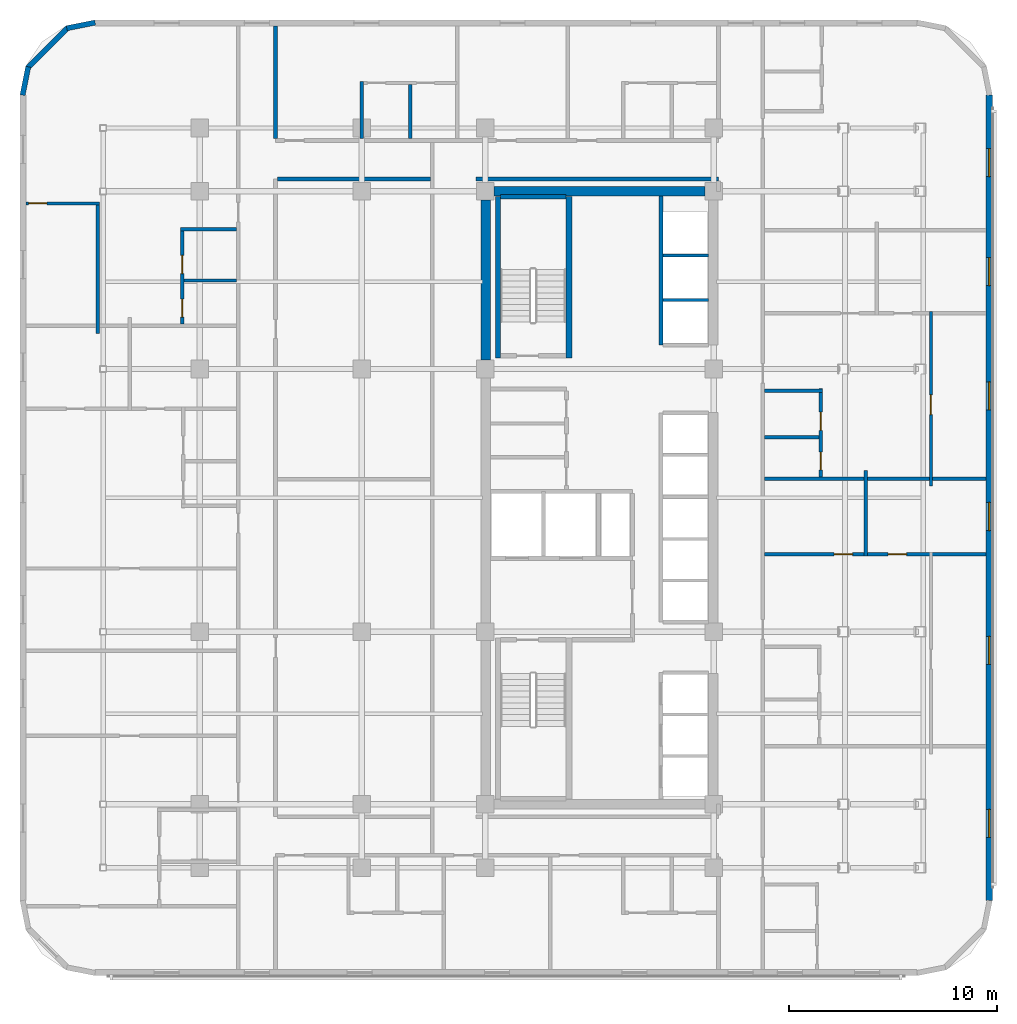
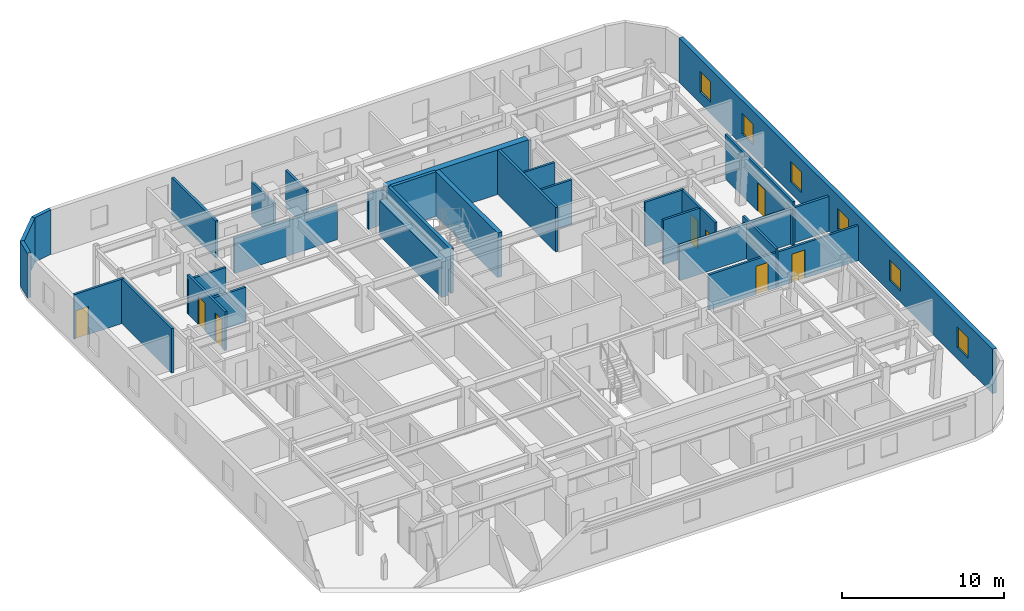
# One storey, part 9 of 14: 29 walls, 8 doors, 6 windows, 14 openings.
"""IFC4 building model written with IfcOpenShell, lengths in metres."""

from ifc_helpers import new_model, si_unit, direction, frame, frame_2d, origin, place, context, subcontext, project, spatial, rectangle, extrude, material, layer, layer_set, type_object, element, fill, save


model = new_model("IFC4")

# Units and contexts
model_context = context("Model", 3, precision=1e-05, world=origin(), true_north=direction((0.0, 1.0)))
body_context = subcontext(model_context, "Body", "Model", "MODEL_VIEW")
ifc_project = project(units=[si_unit("LENGTHUNIT", "METRE"), si_unit("AREAUNIT", "SQUARE_METRE"), si_unit("VOLUMEUNIT", "CUBIC_METRE"), si_unit("PLANEANGLEUNIT", "RADIAN"), si_unit("MASSUNIT", "GRAM", prefix="KILO")], contexts=[model_context])

# Site, building, storey
site_placement = place(None, origin())
site = spatial("IfcSite", under=ifc_project, at=site_placement, CompositionType="ELEMENT")
building_placement = place(site_placement, origin())
building = spatial("IfcBuilding", under=site, at=building_placement, Name="Ochreholt Gables", CompositionType="ELEMENT")
storey_placement = place(building_placement, frame((0.0, 0.0, 42.0)))
storey = spatial("IfcBuildingStorey", under=building, at=storey_placement, Name="L10", CompositionType="ELEMENT", Elevation=42.0)

# Walls
ifc_material_1 = material(Name="Concrete 60 MPa", Category="concrete")
ifc_layer_1 = layer(ifc_material_1, 0.449951171875, Name="Concrete 60 MPa")
ifc_layer_set_1 = layer_set([ifc_layer_1], Name="Concrete 60 MPa")
wall_type_1 = type_object("IfcWallType", Name="WALL-CSW-450", PredefinedType="SHEAR", material=ifc_layer_set_1)
wall_1_placement = place(storey_placement, frame((24.22509765625, 30.625, 0.0), z_axis=(0.0, 0.0, 1.0), x_axis=(0.0, 1.0, 0.0)))
element("IfcWall", 1, at=wall_1_placement, inside=storey, type_object=wall_type_1, Name="L10 Core West Shear Wall WN", PredefinedType="SHEAR", context=body_context, shape_type="SweptSolid", body=[
    extrude(rectangle(XDim=7.699951171875, YDim=0.449951171875, at=frame_2d((3.85009765625, 0.0))), origin(), (0.0, 0.0, 1.0), 2.6669921875),
])
wall_2_placement = place(storey_placement, frame((24.625, 38.75, 0.0), z_axis=(0.0, 0.0, 1.0), x_axis=(1.0, 0.0, 0.0)))
element("IfcWall", 2, at=wall_2_placement, inside=storey, type_object=wall_type_1, Name="L10 Core North Shear Wall", PredefinedType="SHEAR", context=body_context, shape_type="SweptSolid", body=[
    extrude(rectangle(XDim=10.14990234375, YDim=0.449951171875, at=frame_2d((5.074951171875, 0.0))), origin(), (0.0, 0.0, 1.0), 3.360107421875),
])

# Wall, openings, windows
ifc_material_2 = material(Name="Precast concrete 40 MPa", Category="concrete")
ifc_layer_2 = layer(ifc_material_2, 0.2900390625, Name="Precast concrete 40 MPa")
ifc_layer_set_2 = layer_set([ifc_layer_2], Name="Precast concrete 40 MPa")
wall_type_2 = type_object("IfcWallType", Name="WALL-EXT-290", PredefinedType="SOLIDWALL", material=ifc_layer_set_2)
wall_3_placement = place(storey_placement, frame((48.455078125, 4.6201171875, 0.0), z_axis=(0.0, 0.0, 1.0), x_axis=(0.0, 1.0, 0.0)))
wall_3 = element("IfcWall", 3, at=wall_3_placement, inside=storey, type_object=wall_type_2, Name="L10 East Exterior Wall", PredefinedType="SOLIDWALL", context=body_context, shape_type="SweptSolid", body=[
    extrude(rectangle(XDim=38.759765625, YDim=0.2900390625, at=frame_2d((19.3798828125, 0.0))), origin(), (0.0, 0.0, 1.0), 3.360107421875),
])
opening_1_placement = place(wall_3_placement, frame((3.034912109375, 0.0, 0.85009765625)))
opening_1 = element("IfcOpeningElement", 4, at=opening_1_placement, cuts=wall_3, Name="Opening WN-8", PredefinedType="OPENING", context=body_context, shape_type="SweptSolid", body=[
    extrude(rectangle(XDim=1.35009765625, YDim=1.550048828125, at=frame_2d((0.675048828125, 0.77490234375))), frame((0.0, 0.155029296875, 0.0), z_axis=(0.0, -1.0, 0.0), x_axis=(1.0, 0.0, 0.0)), (0.0, 0.0, 1.0), 0.31005859375),
])
opening_2_placement = place(wall_3_placement, frame((11.364990234375, 0.0, 0.85009765625)))
opening_2 = element("IfcOpeningElement", 5, at=opening_2_placement, cuts=wall_3, Name="Opening WN-8", PredefinedType="OPENING", context=body_context, shape_type="SweptSolid", body=[
    extrude(rectangle(XDim=1.35009765625, YDim=1.550048828125, at=frame_2d((0.675048828125, 0.77490234375))), frame((0.0, 0.155029296875, 0.0), z_axis=(0.0, -1.0, 0.0), x_axis=(1.0, 0.0, 0.0)), (0.0, 0.0, 1.0), 0.31005859375),
])
opening_3_placement = place(wall_3_placement, frame((17.804931640625, 0.0, 0.85009765625)))
opening_3 = element("IfcOpeningElement", 6, at=opening_3_placement, cuts=wall_3, Name="Opening WN-8", PredefinedType="OPENING", context=body_context, shape_type="SweptSolid", body=[
    extrude(rectangle(XDim=1.35009765625, YDim=1.550048828125, at=frame_2d((0.675048828125, 0.77490234375))), frame((0.0, 0.155029296875, 0.0), z_axis=(0.0, -1.0, 0.0), x_axis=(1.0, 0.0, 0.0)), (0.0, 0.0, 1.0), 0.31005859375),
])
opening_4_placement = place(wall_3_placement, frame((23.610107421875, 0.0, 0.85009765625)))
opening_4 = element("IfcOpeningElement", 7, at=opening_4_placement, cuts=wall_3, Name="Opening WN-8", PredefinedType="OPENING", context=body_context, shape_type="SweptSolid", body=[
    extrude(rectangle(XDim=1.35009765625, YDim=1.550048828125, at=frame_2d((0.675048828125, 0.77490234375))), frame((0.0, 0.155029296875, 0.0), z_axis=(0.0, -1.0, 0.0), x_axis=(1.0, 0.0, 0.0)), (0.0, 0.0, 1.0), 0.31005859375),
])
opening_5_placement = place(wall_3_placement, frame((29.590087890625, 0.0, 0.85009765625)))
opening_5 = element("IfcOpeningElement", 8, at=opening_5_placement, cuts=wall_3, Name="Opening WN-8", PredefinedType="OPENING", context=body_context, shape_type="SweptSolid", body=[
    extrude(rectangle(XDim=1.35009765625, YDim=1.550048828125, at=frame_2d((0.675048828125, 0.77490234375))), frame((0.0, 0.155029296875, 0.0), z_axis=(0.0, -1.0, 0.0), x_axis=(1.0, 0.0, 0.0)), (0.0, 0.0, 1.0), 0.31005859375),
])
opening_6_placement = place(wall_3_placement, frame((34.8349609375, 0.0, 0.85009765625)))
opening_6 = element("IfcOpeningElement", 9, at=opening_6_placement, cuts=wall_3, Name="Opening WN-8", PredefinedType="OPENING", context=body_context, shape_type="SweptSolid", body=[
    extrude(rectangle(XDim=1.35009765625, YDim=1.550048828125, at=frame_2d((0.675048828125, 0.77490234375))), frame((0.0, 0.155029296875, 0.0), z_axis=(0.0, -1.0, 0.0), x_axis=(1.0, 0.0, 0.0)), (0.0, 0.0, 1.0), 0.31005859375),
])
ifc_material_3 = material(Name="Triple-Glazed Thermally Broken Aluminium Window", Category="aluminium")
window_type = type_object("IfcWindowType", Name="WIN-RES-1350", PartitioningType="SINGLE_PANEL", PredefinedType="WINDOW", material=ifc_material_3)
window_1_placement = place(opening_1_placement, origin())
window_1 = element("IfcWindow", 10, at=window_1_placement, inside=storey, type_object=window_type, Name="L10 Window W-EXT-E-L10-1", OverallHeight=1.550048828125, OverallWidth=1.35009765625, PartitioningType="SINGLE_PANEL", PredefinedType="WINDOW", context=body_context, shape_type="SweptSolid", body=[
    extrude(rectangle(XDim=1.35009765625, YDim=1.550048828125, at=frame_2d((0.675048828125, 0.77490234375))), frame((0.0, 0.030029296875, 0.0), z_axis=(0.0, -1.0, 0.0), x_axis=(1.0, 0.0, 0.0)), (0.0, 0.0, 1.0), 0.06005859375),
])
fill(opening_1, window_1)
window_2_placement = place(opening_2_placement, origin())
window_2 = element("IfcWindow", 11, at=window_2_placement, inside=storey, type_object=window_type, Name="L10 Window W-EXT-E-L10-2", OverallHeight=1.550048828125, OverallWidth=1.35009765625, PartitioningType="SINGLE_PANEL", PredefinedType="WINDOW", context=body_context, shape_type="SweptSolid", body=[
    extrude(rectangle(XDim=1.35009765625, YDim=1.550048828125, at=frame_2d((0.675048828125, 0.77490234375))), frame((0.0, 0.030029296875, 0.0), z_axis=(0.0, -1.0, 0.0), x_axis=(1.0, 0.0, 0.0)), (0.0, 0.0, 1.0), 0.06005859375),
])
fill(opening_2, window_2)
window_3_placement = place(opening_3_placement, origin())
window_3 = element("IfcWindow", 12, at=window_3_placement, inside=storey, type_object=window_type, Name="L10 Window W-EXT-E-L10-3", OverallHeight=1.550048828125, OverallWidth=1.35009765625, PartitioningType="SINGLE_PANEL", PredefinedType="WINDOW", context=body_context, shape_type="SweptSolid", body=[
    extrude(rectangle(XDim=1.35009765625, YDim=1.550048828125, at=frame_2d((0.675048828125, 0.77490234375))), frame((0.0, 0.030029296875, 0.0), z_axis=(0.0, -1.0, 0.0), x_axis=(1.0, 0.0, 0.0)), (0.0, 0.0, 1.0), 0.06005859375),
])
fill(opening_3, window_3)
window_4_placement = place(opening_4_placement, origin())
window_4 = element("IfcWindow", 13, at=window_4_placement, inside=storey, type_object=window_type, Name="L10 Window W-EXT-E-L10-4", OverallHeight=1.550048828125, OverallWidth=1.35009765625, PartitioningType="SINGLE_PANEL", PredefinedType="WINDOW", context=body_context, shape_type="SweptSolid", body=[
    extrude(rectangle(XDim=1.35009765625, YDim=1.550048828125, at=frame_2d((0.675048828125, 0.77490234375))), frame((0.0, 0.030029296875, 0.0), z_axis=(0.0, -1.0, 0.0), x_axis=(1.0, 0.0, 0.0)), (0.0, 0.0, 1.0), 0.06005859375),
])
fill(opening_4, window_4)
window_5_placement = place(opening_5_placement, origin())
window_5 = element("IfcWindow", 14, at=window_5_placement, inside=storey, type_object=window_type, Name="L10 Window W-EXT-E-L10-5", OverallHeight=1.550048828125, OverallWidth=1.35009765625, PartitioningType="SINGLE_PANEL", PredefinedType="WINDOW", context=body_context, shape_type="SweptSolid", body=[
    extrude(rectangle(XDim=1.35009765625, YDim=1.550048828125, at=frame_2d((0.675048828125, 0.77490234375))), frame((0.0, 0.030029296875, 0.0), z_axis=(0.0, -1.0, 0.0), x_axis=(1.0, 0.0, 0.0)), (0.0, 0.0, 1.0), 0.06005859375),
])
fill(opening_5, window_5)
window_6_placement = place(opening_6_placement, origin())
window_6 = element("IfcWindow", 15, at=window_6_placement, inside=storey, type_object=window_type, Name="L10 Window W-EXT-E-L10-6", OverallHeight=1.550048828125, OverallWidth=1.35009765625, PartitioningType="SINGLE_PANEL", PredefinedType="WINDOW", context=body_context, shape_type="SweptSolid", body=[
    extrude(rectangle(XDim=1.35009765625, YDim=1.550048828125, at=frame_2d((0.675048828125, 0.77490234375))), frame((0.0, 0.030029296875, 0.0), z_axis=(0.0, -1.0, 0.0), x_axis=(1.0, 0.0, 0.0)), (0.0, 0.0, 1.0), 0.06005859375),
])
fill(opening_6, window_6)

# Walls
ifc_layer_3 = layer(ifc_material_2, 0.25, Name="Precast concrete 40 MPa")
ifc_layer_set_3 = layer_set([ifc_layer_3], Name="Precast concrete 40 MPa")
wall_type_3 = type_object("IfcWallType", Name="WALL-EXT-CNR", PredefinedType="SOLIDWALL", material=ifc_layer_set_3)
wall_4_placement = place(storey_placement, frame((5.41650390625, 46.875732421875, 0.0), z_axis=(0.0, 0.0, 1.0), x_axis=(-0.980809899341, -0.19496651342, 0.0)))
element("IfcWall", 16, at=wall_4_placement, inside=storey, type_object=wall_type_3, Name="L10 Rounded Corner Wall NW-1", PredefinedType="SOLIDWALL", context=body_context, shape_type="SweptSolid", body=[
    extrude(rectangle(XDim=1.388671875, YDim=0.25, at=frame_2d((0.6943359375, 0.0))), origin(), (0.0, 0.0, 1.0), 3.360107421875),
])
wall_5_placement = place(storey_placement, frame((4.10498046875, 46.632080078125, 0.0), z_axis=(0.0, 0.0, 1.0), x_axis=(-0.707106781187, -0.707106781187, 0.0)))
element("IfcWall", 17, at=wall_5_placement, inside=storey, type_object=wall_type_3, Name="L10 Rounded Corner Wall NW-2", PredefinedType="SOLIDWALL", context=body_context, shape_type="SweptSolid", body=[
    extrude(rectangle(XDim=2.7392578125, YDim=0.25, at=frame_2d((1.36962890625, 0.0))), origin(), (0.0, 0.0, 1.0), 3.360107421875),
])
wall_6_placement = place(storey_placement, frame((2.195068359375, 44.74560546875, 0.0), z_axis=(0.0, 0.0, 1.0), x_axis=(-0.19496651342, -0.980809899341, 0.0)))
element("IfcWall", 18, at=wall_6_placement, inside=storey, type_object=wall_type_3, Name="L10 Rounded Corner Wall NW-3", PredefinedType="SOLIDWALL", context=body_context, shape_type="SweptSolid", body=[
    extrude(rectangle(XDim=1.388671875, YDim=0.25, at=frame_2d((0.6943359375, 0.0))), origin(), (0.0, 0.0, 1.0), 3.360107421875),
])
ifc_material_4 = material(Name="Fire-Rated Gypsum Acoustic Partition", Category="gypsum")
ifc_layer_4 = layer(ifc_material_4, 0.179931640625, Name="Fire-Rated Gypsum Acoustic Partition")
ifc_layer_set_4 = layer_set([ifc_layer_4], Name="Fire-Rated Gypsum Acoustic Partition")
wall_type_4 = type_object("IfcWallType", Name="WALL-INT-CR180", PredefinedType="STANDARD", material=ifc_layer_set_4)
wall_7_placement = place(storey_placement, frame((23.75, 39.35009765625, 0.0), z_axis=(0.0, 0.0, 1.0), x_axis=(1.0, 0.0, 0.0)))
element("IfcWall", 19, at=wall_7_placement, inside=storey, type_object=wall_type_4, Name="L10 Interior Wall WI-C1N2-L10", PredefinedType="STANDARD", context=body_context, shape_type="SweptSolid", body=[
    extrude(rectangle(XDim=11.669921875, YDim=0.179931640625, at=frame_2d((5.8349609375, 0.0))), origin(), (0.0, 0.0, 1.0), 2.64892578125),
])
wall_8_placement = place(storey_placement, frame((14.18994140625, 39.35009765625, 0.0), z_axis=(0.0, 0.0, 1.0), x_axis=(1.0, 0.0, 0.0)))
element("IfcWall", 20, at=wall_8_placement, inside=storey, type_object=wall_type_4, Name="L10 Interior Wall WI-C1N2W-L10", PredefinedType="STANDARD", context=body_context, shape_type="SweptSolid", body=[
    extrude(rectangle(XDim=7.3701171875, YDim=0.179931640625, at=frame_2d((3.68505859375, 0.0))), origin(), (0.0, 0.0, 1.0), 2.64892578125),
])
ifc_material_5 = material(Name="Double-Stud Acoustic Demising Wall", Category="gypsum")
ifc_layer_5 = layer(ifc_material_5, 0.179931640625, Name="Double-Stud Acoustic Demising Wall")
ifc_layer_set_5 = layer_set([ifc_layer_5], Name="Double-Stud Acoustic Demising Wall")
wall_type_5 = type_object("IfcWallType", Name="WALL-INT-DM180", PredefinedType="PARTITIONING", material=ifc_layer_set_5)
wall_9_placement = place(storey_placement, frame((14.10009765625, 41.2900390625, 0.0), z_axis=(0.0, 0.0, 1.0), x_axis=(0.0, 1.0, 0.0)))
element("IfcWall", 21, at=wall_9_placement, inside=storey, type_object=wall_type_5, Name="L10 Interior Wall WI-C1WNI-L10", PredefinedType="PARTITIONING", context=body_context, shape_type="SweptSolid", body=[
    extrude(rectangle(XDim=5.419921875, YDim=0.179931640625, at=frame_2d((2.7099609375, 0.0))), origin(), (0.0, 0.0, 1.0), 2.80908203125),
])
wall_10_placement = place(storey_placement, frame((37.639892578125, 24.919921875, 0.0), z_axis=(0.0, 0.0, 1.0), x_axis=(1.0, 0.0, 0.0)))
element("IfcWall", 22, at=wall_10_placement, inside=storey, type_object=wall_type_5, Name="L10 Interior Wall WI-UDE3-L10", PredefinedType="PARTITIONING", context=body_context, shape_type="SweptSolid", body=[
    extrude(rectangle(XDim=10.670166015625, YDim=0.179931640625, at=frame_2d((5.3349609375, 0.0))), origin(), (0.0, 0.0, 1.0), 2.64892578125),
])
ifc_material_6 = material(Name="Moisture-Resistant Plumbing Chase Wall", Category="gypsum")
ifc_layer_6 = layer(ifc_material_6, 0.159912109375, Name="Moisture-Resistant Plumbing Chase Wall")
ifc_layer_set_6 = layer_set([ifc_layer_6], Name="Moisture-Resistant Plumbing Chase Wall")
wall_type_6 = type_object("IfcWallType", Name="WALL-INT-PL160", PredefinedType="PLUMBINGWALL", material=ifc_layer_set_6)
wall_11_placement = place(storey_placement, frame((37.639892578125, 29.159912109375, 0.0), z_axis=(0.0, 0.0, 1.0), x_axis=(1.0, 0.0, 0.0)))
element("IfcWall", 23, at=wall_11_placement, inside=storey, type_object=wall_type_6, Name="L10 Interior Wall WU-L10E3-FYN", PredefinedType="PLUMBINGWALL", context=body_context, shape_type="SweptSolid", body=[
    extrude(rectangle(XDim=2.7880859375, YDim=0.159912109375, at=frame_2d((1.39404296875, 0.0))), origin(), (0.0, 0.0, 1.0), 3.360107421875),
])

# Wall, openings, doors
wall_12_placement = place(storey_placement, frame((40.347900390625, 25.010009765625, 0.0), z_axis=(0.0, 0.0, 1.0), x_axis=(0.0, 1.0, 0.0)))
wall_12 = element("IfcWall", 24, at=wall_12_placement, inside=storey, type_object=wall_type_6, Name="L10 Interior Wall WU-L10E3-WX", PredefinedType="PLUMBINGWALL", context=body_context, shape_type="SweptSolid", body=[
    extrude(rectangle(XDim=4.239990234375, YDim=0.159912109375, at=frame_2d((2.1201171875, 0.0))), origin(), (0.0, 0.0, 1.0), 3.360107421875),
])
opening_7_placement = place(wall_12_placement, frame((0.330078125, 0.0, 0.0)))
opening_7 = element("IfcOpeningElement", 25, at=opening_7_placement, cuts=wall_12, Name="Opening D-BT1", PredefinedType="OPENING", context=body_context, shape_type="SweptSolid", body=[
    extrude(rectangle(XDim=0.860107421875, YDim=2.1201171875, at=frame_2d((0.43017578125, 1.06005859375))), frame((0.0, 0.08984375, 0.0), z_axis=(0.0, -1.0, 0.0), x_axis=(1.0, 0.0, 0.0)), (0.0, 0.0, 1.0), 0.179931640625),
])
opening_8_placement = place(wall_12_placement, frame((2.239013671875, 0.0, 0.0)))
opening_8 = element("IfcOpeningElement", 26, at=opening_8_placement, cuts=wall_12, Name="Opening D-GN2", PredefinedType="OPENING", context=body_context, shape_type="SweptSolid", body=[
    extrude(rectangle(XDim=0.8798828125, YDim=2.1201171875, at=frame_2d((0.43994140625, 1.06005859375))), frame((0.0, 0.08984375, 0.0), z_axis=(0.0, -1.0, 0.0), x_axis=(1.0, 0.0, 0.0)), (0.0, 0.0, 1.0), 0.179931640625),
])
ifc_material_7 = material(Name="Engineered Oak Timber", Category="wood")
door_type_1 = type_object("IfcDoorType", Name="DR-INT-BTH860", OperationType="NOTDEFINED", PredefinedType="DOOR", material=ifc_material_7)
door_1_placement = place(opening_7_placement, origin())
door_1 = element("IfcDoor", 27, at=door_1_placement, inside=storey, type_object=door_type_1, Name="L10 Door D-U-L10E3-BTH", OperationType="SINGLE_SWING_LEFT", OverallHeight=2.1201171875, OverallWidth=0.860107421875, PredefinedType="DOOR", context=body_context, shape_type="SweptSolid", body=[
    extrude(rectangle(XDim=0.860107421875, YDim=2.1201171875, at=frame_2d((0.43017578125, 1.06005859375))), frame((0.0, 0.02490234375, 0.0), z_axis=(0.0, -1.0, 0.0), x_axis=(1.0, 0.0, 0.0)), (0.0, 0.0, 1.0), 0.050048828125),
])
fill(opening_7, door_1)
door_type_2 = type_object("IfcDoorType", Name="DR-INT-GEN880", OperationType="NOTDEFINED", PredefinedType="DOOR", material=ifc_material_7)
door_2_placement = place(opening_8_placement, origin())
door_2 = element("IfcDoor", 28, at=door_2_placement, inside=storey, type_object=door_type_2, Name="L10 Door D-U-L10E3-KIT", OperationType="SINGLE_SWING_RIGHT", OverallHeight=2.1201171875, OverallWidth=0.8798828125, PredefinedType="DOOR", context=body_context, shape_type="SweptSolid", body=[
    extrude(rectangle(XDim=0.8798828125, YDim=2.1201171875, at=frame_2d((0.43994140625, 1.06005859375))), frame((0.0, 0.02490234375, 0.0), z_axis=(0.0, -1.0, 0.0), x_axis=(1.0, 0.0, 0.0)), (0.0, 0.0, 1.0), 0.050048828125),
])
fill(opening_8, door_2)

# Walls
wall_13_placement = place(storey_placement, frame((37.639892578125, 26.9189453125, 0.0), z_axis=(0.0, 0.0, 1.0), x_axis=(1.0, 0.0, 0.0)))
element("IfcWall", 29, at=wall_13_placement, inside=storey, type_object=wall_type_6, Name="L10 Interior Wall WU-L10E3-WK", PredefinedType="PLUMBINGWALL", context=body_context, shape_type="SweptSolid", body=[
    extrude(rectangle(XDim=2.628173828125, YDim=0.159912109375, at=frame_2d((1.31396484375, 0.0))), origin(), (0.0, 0.0, 1.0), 3.360107421875),
])
wall_14_placement = place(storey_placement, frame((9.528076171875, 36.919921875, 0.0), z_axis=(0.0, 0.0, 1.0), x_axis=(1.0, 0.0, 0.0)))
element("IfcWall", 30, at=wall_14_placement, inside=storey, type_object=wall_type_6, Name="L10 Interior Wall WU-L10W3-WYN", PredefinedType="PLUMBINGWALL", context=body_context, shape_type="SweptSolid", body=[
    extrude(rectangle(XDim=2.681884765625, YDim=0.159912109375, at=frame_2d((1.3408203125, 0.0))), origin(), (0.0, 0.0, 1.0), 2.64892578125),
])

# Wall, openings, doors
wall_15_placement = place(storey_placement, frame((9.60791015625, 32.3701171875, 0.0), z_axis=(0.0, 0.0, 1.0), x_axis=(0.0, 1.0, 0.0)))
wall_15 = element("IfcWall", 31, at=wall_15_placement, inside=storey, type_object=wall_type_6, Name="L10 Interior Wall WU-L10W3-WX", PredefinedType="PLUMBINGWALL", context=body_context, shape_type="SweptSolid", body=[
    extrude(rectangle(XDim=4.639892578125, YDim=0.159912109375, at=frame_2d((2.31982421875, 0.0))), origin(), (0.0, 0.0, 1.0), 2.931884765625),
])
opening_9_placement = place(wall_15_placement, frame((0.330078125, 0.0, 0.0)))
opening_9 = element("IfcOpeningElement", 32, at=opening_9_placement, cuts=wall_15, Name="Opening D-BT1", PredefinedType="OPENING", context=body_context, shape_type="SweptSolid", body=[
    extrude(rectangle(XDim=0.860107421875, YDim=2.1201171875, at=frame_2d((0.43017578125, 1.06005859375))), frame((0.0, 0.08984375, 0.0), z_axis=(0.0, -1.0, 0.0), x_axis=(1.0, 0.0, 0.0)), (0.0, 0.0, 1.0), 0.179931640625),
])
opening_10_placement = place(wall_15_placement, frame((2.423095703125, 0.0, 0.0)))
opening_10 = element("IfcOpeningElement", 33, at=opening_10_placement, cuts=wall_15, Name="Opening D-GN2", PredefinedType="OPENING", context=body_context, shape_type="SweptSolid", body=[
    extrude(rectangle(XDim=0.8798828125, YDim=2.1201171875, at=frame_2d((0.43994140625, 1.06005859375))), frame((0.0, 0.08984375, 0.0), z_axis=(0.0, -1.0, 0.0), x_axis=(1.0, 0.0, 0.0)), (0.0, 0.0, 1.0), 0.179931640625),
])
door_3_placement = place(opening_9_placement, origin())
door_3 = element("IfcDoor", 34, at=door_3_placement, inside=storey, type_object=door_type_1, Name="L10 Door D-U-L10W3-BTH", OperationType="SINGLE_SWING_LEFT", OverallHeight=2.1201171875, OverallWidth=0.860107421875, PredefinedType="DOOR", context=body_context, shape_type="SweptSolid", body=[
    extrude(rectangle(XDim=0.860107421875, YDim=2.1201171875, at=frame_2d((0.43017578125, 1.06005859375))), frame((0.0, 0.02490234375, 0.0), z_axis=(0.0, -1.0, 0.0), x_axis=(1.0, 0.0, 0.0)), (0.0, 0.0, 1.0), 0.050048828125),
])
fill(opening_9, door_3)
door_4_placement = place(opening_10_placement, origin())
door_4 = element("IfcDoor", 35, at=door_4_placement, inside=storey, type_object=door_type_2, Name="L10 Door D-U-L10W3-KIT", OperationType="SINGLE_SWING_RIGHT", OverallHeight=2.1201171875, OverallWidth=0.8798828125, PredefinedType="DOOR", context=body_context, shape_type="SweptSolid", body=[
    extrude(rectangle(XDim=0.8798828125, YDim=2.1201171875, at=frame_2d((0.43994140625, 1.06005859375))), frame((0.0, 0.02490234375, 0.0), z_axis=(0.0, -1.0, 0.0), x_axis=(1.0, 0.0, 0.0)), (0.0, 0.0, 1.0), 0.050048828125),
])
fill(opening_10, door_4)

# Walls
wall_16_placement = place(storey_placement, frame((9.68798828125, 34.462890625, 0.0), z_axis=(0.0, 0.0, 1.0), x_axis=(1.0, 0.0, 0.0)))
element("IfcWall", 36, at=wall_16_placement, inside=storey, type_object=wall_type_6, Name="L10 Interior Wall WU-L10W3-WM", PredefinedType="PLUMBINGWALL", context=body_context, shape_type="SweptSolid", body=[
    extrude(rectangle(XDim=2.52197265625, YDim=0.159912109375, at=frame_2d((1.260986328125, 0.0))), origin(), (0.0, 0.0, 1.0), 2.64892578125),
])
wall_17_placement = place(storey_placement, frame((18.251220703125, 41.2900390625, 0.0), z_axis=(0.0, 0.0, 1.0), x_axis=(0.0, 1.0, 0.0)))
element("IfcWall", 37, at=wall_17_placement, inside=storey, type_object=wall_type_6, Name="L10 Interior Wall WU-L10N1-FY", PredefinedType="PLUMBINGWALL", context=body_context, shape_type="SweptSolid", body=[
    extrude(rectangle(XDim=2.760009765625, YDim=0.159912109375, at=frame_2d((1.3798828125, 0.0))), origin(), (0.0, 0.0, 1.0), 2.64892578125),
])
wall_18_placement = place(storey_placement, frame((20.59130859375, 41.2900390625, 0.0), z_axis=(0.0, 0.0, 1.0), x_axis=(0.0, 1.0, 0.0)))
element("IfcWall", 38, at=wall_18_placement, inside=storey, type_object=wall_type_6, Name="L10 Interior Wall WU-L10N1-WK", PredefinedType="PLUMBINGWALL", context=body_context, shape_type="SweptSolid", body=[
    extrude(rectangle(XDim=2.599853515625, YDim=0.159912109375, at=frame_2d((1.2998046875, 0.0))), origin(), (0.0, 0.0, 1.0), 2.80908203125),
])

# Wall, openings, doors
ifc_material_8 = material(Name="Gypsum Acoustic Stud Partition", Category="gypsum")
ifc_layer_7 = layer(ifc_material_8, 0.159912109375, Name="Gypsum Acoustic Stud Partition")
ifc_layer_set_7 = layer_set([ifc_layer_7], Name="Gypsum Acoustic Stud Partition")
wall_type_7 = type_object("IfcWallType", Name="WALL-INT-PT160", PredefinedType="PARTITIONING", material=ifc_layer_set_7)
wall_19_placement = place(storey_placement, frame((37.639892578125, 21.280029296875, 0.0), z_axis=(0.0, 0.0, 1.0), x_axis=(1.0, 0.0, 0.0)))
wall_19 = element("IfcWall", 39, at=wall_19_placement, inside=storey, type_object=wall_type_7, Name="L10 Interior Wall WU-L10E2-MN", PredefinedType="PARTITIONING", context=body_context, shape_type="SweptSolid", body=[
    extrude(rectangle(XDim=10.670166015625, YDim=0.159912109375, at=frame_2d((5.3349609375, 0.0))), origin(), (0.0, 0.0, 1.0), 2.64892578125),
])
opening_11_placement = place(wall_19_placement, frame((3.353271484375, 0.0, 0.0)))
opening_11 = element("IfcOpeningElement", 40, at=opening_11_placement, cuts=wall_19, Name="Opening D-GN2", PredefinedType="OPENING", context=body_context, shape_type="SweptSolid", body=[
    extrude(rectangle(XDim=0.8798828125, YDim=2.1201171875, at=frame_2d((0.43994140625, 1.06005859375))), frame((0.0, 0.08984375, 0.0), z_axis=(0.0, -1.0, 0.0), x_axis=(1.0, 0.0, 0.0)), (0.0, 0.0, 1.0), 0.179931640625),
])
opening_12_placement = place(wall_19_placement, frame((5.9423828125, 0.0, 0.0)))
opening_12 = element("IfcOpeningElement", 41, at=opening_12_placement, cuts=wall_19, Name="Opening D-BD1", PredefinedType="OPENING", context=body_context, shape_type="SweptSolid", body=[
    extrude(rectangle(XDim=0.89990234375, YDim=2.139892578125, at=frame_2d((0.449951171875, 1.06982421875))), frame((0.0, 0.08984375, 0.0), z_axis=(0.0, -1.0, 0.0), x_axis=(1.0, 0.0, 0.0)), (0.0, 0.0, 1.0), 0.179931640625),
])
door_type_3 = type_object("IfcDoorType", Name="DR-INT-BED900", OperationType="NOTDEFINED", PredefinedType="DOOR", material=ifc_material_7)
door_5_placement = place(opening_12_placement, origin())
door_5 = element("IfcDoor", 42, at=door_5_placement, inside=storey, type_object=door_type_3, Name="L10 Door D-U-L10E2-BD1", OperationType="SINGLE_SWING_RIGHT", OverallHeight=2.139892578125, OverallWidth=0.89990234375, PredefinedType="DOOR", context=body_context, shape_type="SweptSolid", body=[
    extrude(rectangle(XDim=0.89990234375, YDim=2.139892578125, at=frame_2d((0.449951171875, 1.06982421875))), frame((0.0, 0.02490234375, 0.0), z_axis=(0.0, -1.0, 0.0), x_axis=(1.0, 0.0, 0.0)), (0.0, 0.0, 1.0), 0.050048828125),
])
fill(opening_12, door_5)
door_6_placement = place(opening_11_placement, origin())
door_6 = element("IfcDoor", 43, at=door_6_placement, inside=storey, type_object=door_type_2, Name="L10 Door D-U-L10E2-STD", OperationType="SINGLE_SWING_LEFT", OverallHeight=2.1201171875, OverallWidth=0.8798828125, PredefinedType="DOOR", context=body_context, shape_type="SweptSolid", body=[
    extrude(rectangle(XDim=0.8798828125, YDim=2.1201171875, at=frame_2d((0.43994140625, 1.06005859375))), frame((0.0, 0.02490234375, 0.0), z_axis=(0.0, -1.0, 0.0), x_axis=(1.0, 0.0, 0.0)), (0.0, 0.0, 1.0), 0.050048828125),
])
fill(opening_11, door_6)

# Wall
wall_20_placement = place(storey_placement, frame((42.50439453125, 21.199951171875, 0.0), z_axis=(0.0, 0.0, 1.0), x_axis=(0.0, 1.0, 0.0)))
element("IfcWall", 44, at=wall_20_placement, inside=storey, type_object=wall_type_7, Name="L10 Interior Wall WU-L10E2-BSD", PredefinedType="PARTITIONING", context=body_context, shape_type="SweptSolid", body=[
    extrude(rectangle(XDim=4.110107421875, YDim=0.159912109375, at=frame_2d((2.05517578125, 0.0))), origin(), (0.0, 0.0, 1.0), 2.931884765625),
])

# Wall, opening, door
wall_21_placement = place(storey_placement, frame((45.64990234375, 24.56005859375, 0.0), z_axis=(0.0, 0.0, 1.0), x_axis=(0.0, 1.0, 0.0)))
wall_21 = element("IfcWall", 45, at=wall_21_placement, inside=storey, type_object=wall_type_7, Name="L10 Interior Wall WU-L10E3-DNV", PredefinedType="PARTITIONING", context=body_context, shape_type="SweptSolid", body=[
    extrude(rectangle(XDim=8.409912109375, YDim=0.159912109375, at=frame_2d((4.205078125, 0.0))), origin(), (0.0, 0.0, 1.0), 3.360107421875),
])
opening_13_placement = place(wall_21_placement, frame((3.445068359375, 0.0, 0.0)))
opening_13 = element("IfcOpeningElement", 46, at=opening_13_placement, cuts=wall_21, Name="Opening D-GN1", PredefinedType="OPENING", context=body_context, shape_type="SweptSolid", body=[
    extrude(rectangle(XDim=0.949951171875, YDim=2.14990234375, at=frame_2d((0.47509765625, 1.074951171875))), frame((0.0, 0.08984375, 0.0), z_axis=(0.0, -1.0, 0.0), x_axis=(1.0, 0.0, 0.0)), (0.0, 0.0, 1.0), 0.179931640625),
])
door_type_4 = type_object("IfcDoorType", Name="DR-INT-GEN950", OperationType="NOTDEFINED", PredefinedType="DOOR", material=ifc_material_7)
door_7_placement = place(opening_13_placement, origin())
door_7 = element("IfcDoor", 47, at=door_7_placement, inside=storey, type_object=door_type_4, Name="L10 Door D-U-L10E3-DIN", OperationType="SINGLE_SWING_LEFT", OverallHeight=2.14990234375, OverallWidth=0.949951171875, PredefinedType="DOOR", context=body_context, shape_type="SweptSolid", body=[
    extrude(rectangle(XDim=0.949951171875, YDim=2.14990234375, at=frame_2d((0.47509765625, 1.074951171875))), frame((0.0, 0.02490234375, 0.0), z_axis=(0.0, -1.0, 0.0), x_axis=(1.0, 0.0, 0.0)), (0.0, 0.0, 1.0), 0.050048828125),
])
fill(opening_13, door_7)

# Wall
wall_22_placement = place(storey_placement, frame((5.550048828125, 31.919921875, 0.0), z_axis=(0.0, 0.0, 1.0), x_axis=(0.0, 1.0, 0.0)))
element("IfcWall", 48, at=wall_22_placement, inside=storey, type_object=wall_type_7, Name="L10 Interior Wall WU-L10W3-STW", PredefinedType="PARTITIONING", context=body_context, shape_type="SweptSolid", body=[
    extrude(rectangle(XDim=6.25, YDim=0.159912109375, at=frame_2d((3.125, 0.0))), origin(), (0.0, 0.0, 1.0), 3.360107421875),
])

# Wall, opening, door
wall_23_placement = place(storey_placement, frame((2.090087890625, 38.169921875, 0.0), z_axis=(0.0, 0.0, 1.0), x_axis=(1.0, 0.0, 0.0)))
wall_23 = element("IfcWall", 49, at=wall_23_placement, inside=storey, type_object=wall_type_7, Name="L10 Interior Wall WU-L10W3-STN", PredefinedType="PARTITIONING", context=body_context, shape_type="SweptSolid", body=[
    extrude(rectangle(XDim=3.539794921875, YDim=0.159912109375, at=frame_2d((1.77001953125, 0.0))), origin(), (0.0, 0.0, 1.0), 3.360107421875),
])
opening_14_placement = place(wall_23_placement, frame((0.1201171875, 0.0, 0.0)))
opening_14 = element("IfcOpeningElement", 50, at=opening_14_placement, cuts=wall_23, Name="Opening D-GN2", PredefinedType="OPENING", context=body_context, shape_type="SweptSolid", body=[
    extrude(rectangle(XDim=0.8798828125, YDim=2.1201171875, at=frame_2d((0.43994140625, 1.06005859375))), frame((0.0, 0.08984375, 0.0), z_axis=(0.0, -1.0, 0.0), x_axis=(1.0, 0.0, 0.0)), (0.0, 0.0, 1.0), 0.179931640625),
])
door_8_placement = place(opening_14_placement, origin())
door_8 = element("IfcDoor", 51, at=door_8_placement, inside=storey, type_object=door_type_2, Name="L10 Door D-U-L10W3-STD", OperationType="SINGLE_SWING_LEFT", OverallHeight=2.1201171875, OverallWidth=0.8798828125, PredefinedType="DOOR", context=body_context, shape_type="SweptSolid", body=[
    extrude(rectangle(XDim=0.8798828125, YDim=2.1201171875, at=frame_2d((0.43994140625, 1.06005859375))), frame((0.0, 0.02490234375, 0.0), z_axis=(0.0, -1.0, 0.0), x_axis=(1.0, 0.0, 0.0)), (0.0, 0.0, 1.0), 0.050048828125),
])
fill(opening_14, door_8)

# Walls
ifc_material_9 = material(Name="Gypsum Shaftliner and Steel Stud", Category="steel")
ifc_layer_8 = layer(ifc_material_9, 0.14990234375, Name="Gypsum Shaftliner and Steel Stud")
ifc_layer_set_8 = layer_set([ifc_layer_8], Name="Gypsum Shaftliner and Steel Stud")
wall_type_8 = type_object("IfcWallType", Name="WALL-INT-SH150", PredefinedType="STANDARD", material=ifc_layer_set_8)
for number, where, z_axis, x_axis, name in (
    (52, (32.739990234375, 33.52001953125, 0.0), (0.0, 0.0, 1.0), (1.0, 0.0, 0.0), "L10 Interior Wall WI-LFM-D1-L10"),
    (53, (32.739990234375, 35.669921875, 0.0), (0.0, 0.0, 1.0), (1.0, 0.0, 0.0), "L10 Interior Wall WI-LFM-D2-L10"),
):
    element("IfcWall", number, at=place(storey_placement, frame(where, z_axis=z_axis, x_axis=x_axis)), inside=storey, type_object=wall_type_8, Name=name, PredefinedType="STANDARD", context=body_context, shape_type="SweptSolid", body=[
        extrude(rectangle(XDim=2.2099609375, YDim=0.14990234375, at=frame_2d((1.10498046875, 0.0))), origin(), (0.0, 0.0, 1.0), 3.360107421875),
    ])
ifc_layer_9 = layer(ifc_material_9, 0.179931640625, Name="Gypsum Shaftliner and Steel Stud")
ifc_layer_set_9 = layer_set([ifc_layer_9], Name="Gypsum Shaftliner and Steel Stud")
wall_type_9 = type_object("IfcWallType", Name="WALL-INT-SH180", PredefinedType="STANDARD", material=ifc_layer_set_9)
wall_24_placement = place(storey_placement, frame((32.64990234375, 31.35009765625, 0.0), z_axis=(0.0, 0.0, 1.0), x_axis=(0.0, 1.0, 0.0)))
element("IfcWall", 54, at=wall_24_placement, inside=storey, type_object=wall_type_9, Name="L10 Interior Wall WI-LFM-FR-L10", PredefinedType="STANDARD", context=body_context, shape_type="SweptSolid", body=[
    extrude(rectangle(XDim=7.1748046875, YDim=0.179931640625, at=frame_2d((3.58740234375, 0.0))), origin(), (0.0, 0.0, 1.0), 3.360107421875),
])
ifc_layer_10 = layer(ifc_material_1, 0.300048828125, Name="Concrete 60 MPa")
ifc_layer_set_10 = layer_set([ifc_layer_10], Name="Concrete 60 MPa")
wall_type_10 = type_object("IfcWallType", Name="WALL-SPN-300", PredefinedType="SHEAR", material=ifc_layer_set_10)
wall_25_placement = place(storey_placement, frame((28.22998046875, 30.739990234375, 0.0), z_axis=(0.0, 0.0, 1.0), x_axis=(0.0, 1.0, 0.0)))
element("IfcWall", 55, at=wall_25_placement, inside=storey, type_object=wall_type_10, Name="L10 Core North Spine Shear Wall", PredefinedType="SHEAR", context=body_context, shape_type="SweptSolid", body=[
    extrude(rectangle(XDim=7.760009765625, YDim=0.300048828125, at=frame_2d((3.8798828125, 0.0))), origin(), (0.0, 0.0, 1.0), 3.360107421875),
])
ifc_material_10 = material(Name="Concrete 50 MPa", Category="concrete")
ifc_layer_11 = layer(ifc_material_10, 0.219970703125, Name="Concrete 50 MPa")
ifc_layer_set_11 = layer_set([ifc_layer_11], Name="Concrete 50 MPa")
wall_type_11 = type_object("IfcWallType", Name="WALL-STW-220", PredefinedType="SHEAR", material=ifc_layer_set_11)
wall_26_placement = place(storey_placement, frame((24.81005859375, 30.739990234375, 0.0), z_axis=(0.0, 0.0, 1.0), x_axis=(0.0, 1.0, 0.0)))
element("IfcWall", 56, at=wall_26_placement, inside=storey, type_object=wall_type_11, Name="L10 Exit Stair 2 West Wall", PredefinedType="SHEAR", context=body_context, shape_type="SweptSolid", body=[
    extrude(rectangle(XDim=7.760009765625, YDim=0.219970703125, at=frame_2d((3.8798828125, 0.0))), origin(), (0.0, 0.0, 1.0), 3.360107421875),
])
wall_27_placement = place(storey_placement, frame((24.919921875, 38.489990234375, 0.0), z_axis=(0.0, 0.0, 1.0), x_axis=(1.0, 0.0, 0.0)))
element("IfcWall", 57, at=wall_27_placement, inside=storey, type_object=wall_type_11, Name="L10 Exit Stair 2 North Wall", PredefinedType="SHEAR", context=body_context, shape_type="SweptSolid", body=[
    extrude(rectangle(XDim=3.16015625, YDim=0.219970703125, at=frame_2d((1.580078125, 0.0))), origin(), (0.0, 0.0, 1.0), 3.360107421875),
])

save(model, "model.ifc")
